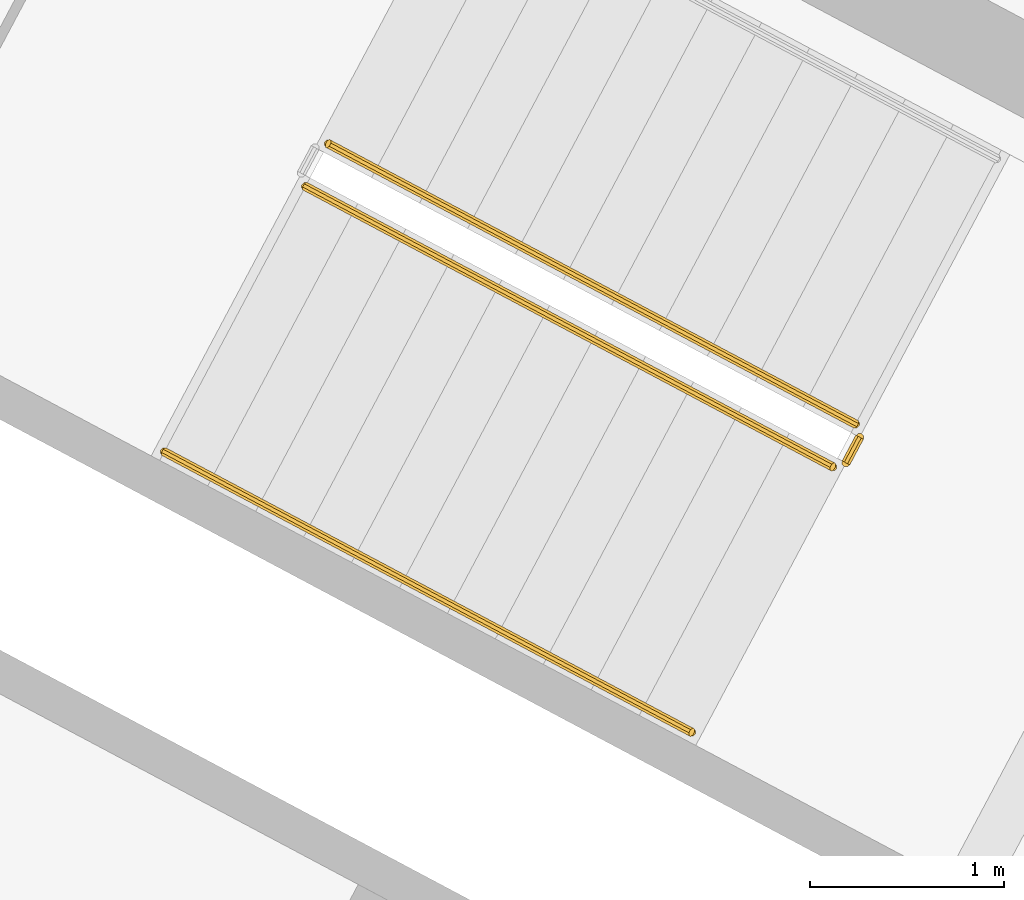
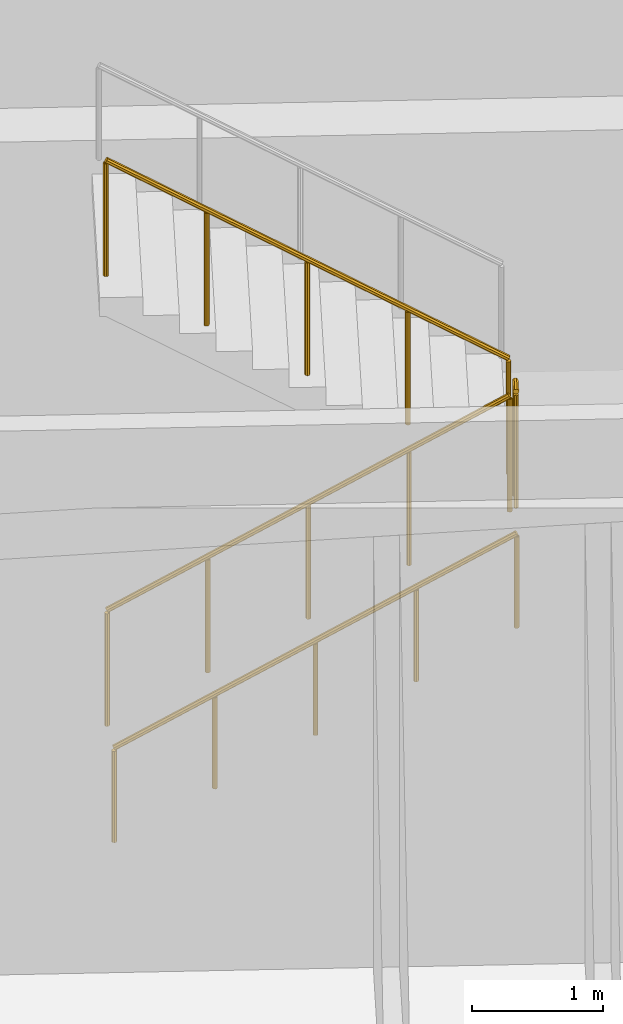
# One storey, part 13 of 16: 4 railings.
"""IFC4 building model written with IfcOpenShell, lengths in metres."""

from ifc_helpers import new_model, si_unit, direction, frame, origin, place, context, subcontext, project, spatial, polyline, outline, extrude, material, type_object, element, save


model = new_model("IFC4")

# Units and contexts
model_context = context("Model", 3, precision=1e-05, world=origin(), true_north=direction((0.0, 1.0)))
body_context = subcontext(model_context, "Body", "Model", "MODEL_VIEW")
ifc_project = project(units=[si_unit("LENGTHUNIT", "METRE"), si_unit("AREAUNIT", "SQUARE_METRE"), si_unit("VOLUMEUNIT", "CUBIC_METRE"), si_unit("PLANEANGLEUNIT", "RADIAN"), si_unit("MASSUNIT", "GRAM", prefix="KILO")], contexts=[model_context])

# Site, building, storey
site_placement = place(None, origin())
site = spatial("IfcSite", under=ifc_project, at=site_placement, CompositionType="ELEMENT")
building_placement = place(site_placement, origin())
building = spatial("IfcBuilding", under=site, at=building_placement, Name="Cormorant Relay Tower", CompositionType="ELEMENT")
storey_placement = place(building_placement, frame((0.0, 0.0, 345.0)))
storey = spatial("IfcBuildingStorey", under=building, at=storey_placement, Name="C5", CompositionType="ELEMENT", Elevation=345.0)

# Railings
ifc_material_1 = material(Name="Steel ASTM A572 Grade 50 (Fy 345 MPa)", Category="steel")
railing_type_1 = type_object("IfcRailingType", Name="Stair guard 1100", PredefinedType="GUARDRAIL", material=ifc_material_1)
railing_1_placement = place(storey_placement, frame((-20.75048828125, 19.017822265625, 0.175048828125)))
element("IfcRailing", 1, at=railing_1_placement, inside=storey, type_object=railing_type_1, Name="C5 A1 stair guard 1", PredefinedType="GUARDRAIL", context=body_context, shape_type="SweptSolid", body=[
    extrude(outline(polyline([(0.022216796875, 0.00927734375), (0.00927734375, 0.022216796875), (-0.00927734375, 0.022216796875), (-0.022216796875, 0.00927734375), (-0.022216796875, -0.00927734375), (-0.00927734375, -0.022216796875), (0.00927734375, -0.022216796875), (0.022216796875, -0.00927734375), (0.022216796875, 0.00927734375)])), frame((0.0, 0.0, 1.076171875), z_axis=(0.748747275397, -0.39806817173, 0.530018158408), x_axis=(0.469427602063, 0.882970965786, 0.0)), (0.0, 0.0, 1.0), 3.632080078125),
    extrude(outline(polyline([(0.019287109375, 0.008056640625), (0.008056640625, 0.019287109375), (-0.008056640625, 0.019287109375), (-0.019287109375, 0.008056640625), (-0.019287109375, -0.008056640625), (-0.008056640625, -0.019287109375), (0.008056640625, -0.019287109375), (0.019287109375, -0.008056640625), (0.019287109375, 0.008056640625)])), origin(), (0.0, 0.0, 1.0), 1.052001953125),
    extrude(outline(polyline([(0.019287109375, 0.008056640625), (0.008056640625, 0.019287109375), (-0.008056640625, 0.019287109375), (-0.019287109375, 0.008056640625), (-0.019287109375, -0.008056640625), (-0.008056640625, -0.019287109375), (0.008056640625, -0.019287109375), (0.019287109375, -0.008056640625), (0.019287109375, 0.008056640625)])), frame((0.679931640625, -0.361328125, 0.481201171875)), (0.0, 0.0, 1.0), 1.052001953125),
    extrude(outline(polyline([(0.019287109375, 0.008056640625), (0.008056640625, 0.019287109375), (-0.008056640625, 0.019287109375), (-0.019287109375, 0.008056640625), (-0.019287109375, -0.008056640625), (-0.008056640625, -0.019287109375), (0.008056640625, -0.019287109375), (0.019287109375, -0.008056640625), (0.019287109375, 0.008056640625)])), frame((1.35986328125, -0.722900390625, 0.96240234375)), (0.0, 0.0, 1.0), 1.052001953125),
    extrude(outline(polyline([(0.019287109375, 0.008056640625), (0.008056640625, 0.019287109375), (-0.008056640625, 0.019287109375), (-0.019287109375, 0.008056640625), (-0.019287109375, -0.008056640625), (-0.008056640625, -0.019287109375), (0.008056640625, -0.019287109375), (0.019287109375, -0.008056640625), (0.019287109375, 0.008056640625)])), frame((2.03955078125, -1.08447265625, 1.44384765625)), (0.0, 0.0, 1.0), 1.052001953125),
    extrude(outline(polyline([(0.019287109375, 0.008056640625), (0.008056640625, 0.019287109375), (-0.008056640625, 0.019287109375), (-0.019287109375, 0.008056640625), (-0.019287109375, -0.008056640625), (-0.008056640625, -0.019287109375), (0.008056640625, -0.019287109375), (0.019287109375, -0.008056640625), (0.019287109375, 0.008056640625)])), frame((2.719482421875, -1.44580078125, 1.925048828125)), (0.0, 0.0, 1.0), 1.052001953125),
])
railing_2_placement = place(storey_placement, frame((-17.96337890625, 17.592529296875, 2.10009765625)))
element("IfcRailing", 2, at=railing_2_placement, inside=storey, type_object=railing_type_1, Name="C5 A1 stair guard 2", PredefinedType="GUARDRAIL", context=body_context, shape_type="SweptSolid", body=[
    extrude(outline(polyline([(0.022216796875, 0.00927734375), (0.00927734375, 0.022216796875), (-0.00927734375, 0.022216796875), (-0.022216796875, 0.00927734375), (-0.022216796875, -0.00927734375), (-0.00927734375, -0.022216796875), (0.00927734375, -0.022216796875), (0.022216796875, -0.00927734375), (0.022216796875, 0.00927734375)])), frame((0.0, 0.0, 1.076171875), z_axis=(0.46856034887, 0.8834314911, 0.0), x_axis=(-0.8834314911, 0.46856034887, 0.0)), (0.0, 0.0, 1.0), 0.150146484375),
    extrude(outline(polyline([(0.019287109375, 0.008056640625), (0.008056640625, 0.019287109375), (-0.008056640625, 0.019287109375), (-0.019287109375, 0.008056640625), (-0.019287109375, -0.008056640625), (-0.008056640625, -0.019287109375), (0.008056640625, -0.019287109375), (0.019287109375, -0.008056640625), (0.019287109375, 0.008056640625)])), origin(), (0.0, 0.0, 1.0), 1.052001953125),
    extrude(outline(polyline([(0.019287109375, 0.008056640625), (0.008056640625, 0.019287109375), (-0.008056640625, 0.019287109375), (-0.019287109375, 0.008056640625), (-0.019287109375, -0.008056640625), (-0.008056640625, -0.019287109375), (0.008056640625, -0.019287109375), (0.019287109375, -0.008056640625), (0.019287109375, 0.008056640625)])), frame((0.0703125, 0.132568359375, 0.0)), (0.0, 0.0, 1.0), 1.052001953125),
])
railing_3_placement = place(storey_placement, frame((-17.913818359375, 17.792724609375, 2.27490234375)))
element("IfcRailing", 3, at=railing_3_placement, inside=storey, type_object=railing_type_1, Name="C5 A1 stair guard 3", PredefinedType="GUARDRAIL", context=body_context, shape_type="SweptSolid", body=[
    extrude(outline(polyline([(0.022216796875, 0.00927734375), (0.00927734375, 0.022216796875), (-0.00927734375, 0.022216796875), (-0.022216796875, 0.00927734375), (-0.022216796875, -0.00927734375), (-0.00927734375, -0.022216796875), (0.00927734375, -0.022216796875), (0.022216796875, -0.00927734375), (0.022216796875, 0.00927734375)])), frame((0.0, 0.0, 1.076171875), z_axis=(-0.748747275397, 0.39806817173, 0.530018158408), x_axis=(-0.469427602063, -0.882970965786, 0.0)), (0.0, 0.0, 1.0), 3.632080078125),
    extrude(outline(polyline([(0.019287109375, 0.008056640625), (0.008056640625, 0.019287109375), (-0.008056640625, 0.019287109375), (-0.019287109375, 0.008056640625), (-0.019287109375, -0.008056640625), (-0.008056640625, -0.019287109375), (0.008056640625, -0.019287109375), (0.019287109375, -0.008056640625), (0.019287109375, 0.008056640625)])), origin(), (0.0, 0.0, 1.0), 1.052001953125),
    extrude(outline(polyline([(0.019287109375, 0.008056640625), (0.008056640625, 0.019287109375), (-0.008056640625, 0.019287109375), (-0.019287109375, 0.008056640625), (-0.019287109375, -0.008056640625), (-0.008056640625, -0.019287109375), (0.008056640625, -0.019287109375), (0.019287109375, -0.008056640625), (0.019287109375, 0.008056640625)])), frame((-0.679931640625, 0.361328125, 0.481201171875)), (0.0, 0.0, 1.0), 1.052001953125),
    extrude(outline(polyline([(0.019287109375, 0.008056640625), (0.008056640625, 0.019287109375), (-0.008056640625, 0.019287109375), (-0.019287109375, 0.008056640625), (-0.019287109375, -0.008056640625), (-0.008056640625, -0.019287109375), (0.008056640625, -0.019287109375), (0.019287109375, -0.008056640625), (0.019287109375, 0.008056640625)])), frame((-1.35986328125, 0.722900390625, 0.96240234375)), (0.0, 0.0, 1.0), 1.052001953125),
    extrude(outline(polyline([(0.019287109375, 0.008056640625), (0.008056640625, 0.019287109375), (-0.008056640625, 0.019287109375), (-0.019287109375, 0.008056640625), (-0.019287109375, -0.008056640625), (-0.008056640625, -0.019287109375), (0.008056640625, -0.019287109375), (0.019287109375, -0.008056640625), (0.019287109375, 0.008056640625)])), frame((-2.03955078125, 1.08447265625, 1.44384765625)), (0.0, 0.0, 1.0), 1.052001953125),
    extrude(outline(polyline([(0.019287109375, 0.008056640625), (0.008056640625, 0.019287109375), (-0.008056640625, 0.019287109375), (-0.019287109375, 0.008056640625), (-0.019287109375, -0.008056640625), (-0.008056640625, -0.019287109375), (0.008056640625, -0.019287109375), (0.019287109375, -0.008056640625), (0.019287109375, 0.008056640625)])), frame((-2.719482421875, 1.44580078125, 1.925048828125)), (0.0, 0.0, 1.0), 1.052001953125),
])
ifc_material_2 = material(Name="Steel ASTM A572 Grade 50 (Fy 345 MPa)", Category="steel")
railing_type_2 = type_object("IfcRailingType", Name="Stair handrail 900", PredefinedType="HANDRAIL", material=ifc_material_2)
railing_4_placement = place(storey_placement, frame((-21.478271484375, 17.6494140625, 0.175048828125)))
element("IfcRailing", 4, at=railing_4_placement, inside=storey, type_object=railing_type_2, Name="C5 A1 stair handrail 1", PredefinedType="HANDRAIL", context=body_context, shape_type="SweptSolid", body=[
    extrude(outline(polyline([(0.022216796875, 0.00927734375), (0.00927734375, 0.022216796875), (-0.00927734375, 0.022216796875), (-0.022216796875, 0.00927734375), (-0.022216796875, -0.00927734375), (-0.00927734375, -0.022216796875), (0.00927734375, -0.022216796875), (0.022216796875, -0.00927734375), (0.022216796875, 0.00927734375)])), frame((0.0, 0.0, 0.8759765625), z_axis=(0.748727239859, -0.398124736663, 0.530003975787), x_axis=(0.469489399267, 0.882938108802, 0.0)), (0.0, 0.0, 1.0), 3.632080078125),
    extrude(outline(polyline([(0.019287109375, 0.008056640625), (0.008056640625, 0.019287109375), (-0.008056640625, 0.019287109375), (-0.019287109375, 0.008056640625), (-0.019287109375, -0.008056640625), (-0.008056640625, -0.019287109375), (0.008056640625, -0.019287109375), (0.019287109375, -0.008056640625), (0.019287109375, 0.008056640625)])), origin(), (0.0, 0.0, 1.0), 0.851806640625),
    extrude(outline(polyline([(0.019287109375, 0.008056640625), (0.008056640625, 0.019287109375), (-0.008056640625, 0.019287109375), (-0.019287109375, 0.008056640625), (-0.019287109375, -0.008056640625), (-0.008056640625, -0.019287109375), (0.008056640625, -0.019287109375), (0.019287109375, -0.008056640625), (0.019287109375, 0.008056640625)])), frame((0.679931640625, -0.361572265625, 0.481201171875)), (0.0, 0.0, 1.0), 0.851806640625),
    extrude(outline(polyline([(0.019287109375, 0.008056640625), (0.008056640625, 0.019287109375), (-0.008056640625, 0.019287109375), (-0.019287109375, 0.008056640625), (-0.019287109375, -0.008056640625), (-0.008056640625, -0.019287109375), (0.008056640625, -0.019287109375), (0.019287109375, -0.008056640625), (0.019287109375, 0.008056640625)])), frame((1.35986328125, -0.72314453125, 0.96240234375)), (0.0, 0.0, 1.0), 0.851806640625),
    extrude(outline(polyline([(0.019287109375, 0.008056640625), (0.008056640625, 0.019287109375), (-0.008056640625, 0.019287109375), (-0.019287109375, 0.008056640625), (-0.019287109375, -0.008056640625), (-0.008056640625, -0.019287109375), (0.008056640625, -0.019287109375), (0.019287109375, -0.008056640625), (0.019287109375, 0.008056640625)])), frame((2.03955078125, -1.08447265625, 1.44384765625)), (0.0, 0.0, 1.0), 0.851806640625),
    extrude(outline(polyline([(0.019287109375, 0.008056640625), (0.008056640625, 0.019287109375), (-0.008056640625, 0.019287109375), (-0.019287109375, 0.008056640625), (-0.019287109375, -0.008056640625), (-0.008056640625, -0.019287109375), (0.008056640625, -0.019287109375), (0.019287109375, -0.008056640625), (0.019287109375, 0.008056640625)])), frame((2.719482421875, -1.446044921875, 1.925048828125)), (0.0, 0.0, 1.0), 0.851806640625),
])

save(model, "model.ifc")
